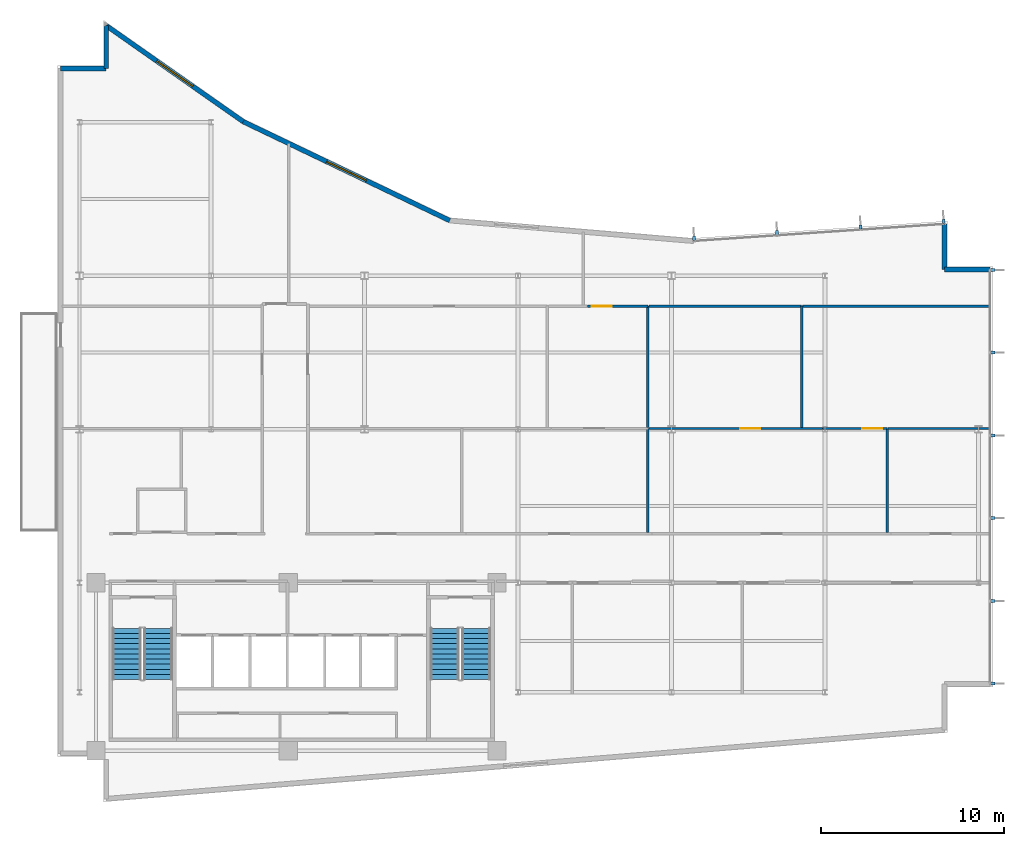
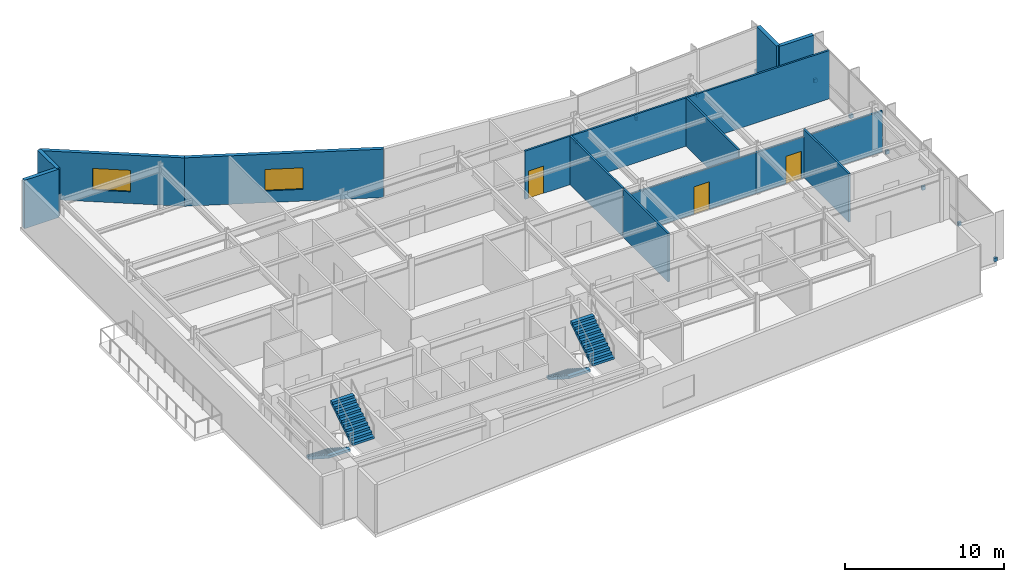
# One storey, part 12 of 15: 16 walls, 10 discrete accessories, 4 stair flights, 3 doors, 2 windows, 5 openings, 2 elements without a shape of their own.
"""IFC4 building model written with IfcOpenShell, lengths in metres."""

from ifc_helpers import new_model, si_unit, direction, frame, frame_2d, origin, origin_2d, place, context, subcontext, project, spatial, polyline, rectangle, outline, extrude, material, layer, layer_set, type_object, element, fill, aggregate, save


model = new_model("IFC4")

# Units and contexts
model_context = context("Model", 3, precision=1e-05, world=origin(), true_north=direction((0.0, 1.0)))
body_context = subcontext(model_context, "Body", "Model", "MODEL_VIEW")
ifc_project = project(units=[si_unit("LENGTHUNIT", "METRE"), si_unit("AREAUNIT", "SQUARE_METRE"), si_unit("VOLUMEUNIT", "CUBIC_METRE"), si_unit("PLANEANGLEUNIT", "RADIAN"), si_unit("MASSUNIT", "GRAM", prefix="KILO")], contexts=[model_context])

# Site, building, storey
site_placement = place(None, origin())
site = spatial("IfcSite", under=ifc_project, at=site_placement, CompositionType="ELEMENT")
building_placement = place(site_placement, origin())
building = spatial("IfcBuilding", under=site, at=building_placement, Name="Varnakote Quay Hospital", CompositionType="ELEMENT")
storey_placement = place(building_placement, frame((0.0, 0.0, 207.89990234375)))
storey = spatial("IfcBuildingStorey", under=building, at=storey_placement, Name="L51", CompositionType="ELEMENT", Elevation=207.89990234375)

# Walls
ifc_material_1 = material(Name="Precast concrete N50 (f'c 50 MPa)", Category="concrete")
ifc_layer_1 = layer(ifc_material_1, 0.260009765625)
ifc_layer_set_1 = layer_set([ifc_layer_1], Name="Precast concrete N50 (f'c 50 MPa)")
wall_type_1 = type_object("IfcWallType", Name="WL-EXT-BRICK-260", PredefinedType="STANDARD", material=ifc_layer_set_1)
wall_1_placement = place(storey_placement, frame((51.0400390625, 29.139892578125, 0.0), z_axis=(0.0, 0.0, 1.0), x_axis=(-1.0, 0.0, 0.0)))
element("IfcWall", 1, at=wall_1_placement, inside=storey, type_object=wall_type_1, Name="L51 Brick-Faced Precast Exterior Wall", PredefinedType="STANDARD", context=body_context, shape_type="SweptSolid", body=[
    extrude(rectangle(XDim=2.5, YDim=0.260009765625, at=frame_2d((1.25, 0.0))), origin(), (0.0, 0.0, 1.0), 3.710205078125),
])
wall_2_placement = place(storey_placement, frame((48.5400390625, 29.139892578125, 0.0), z_axis=(0.0, 0.0, 1.0), x_axis=(0.0, 1.0, 0.0)))
element("IfcWall", 2, at=wall_2_placement, inside=storey, type_object=wall_type_1, Name="L51 Brick-Faced Precast Exterior Wall", PredefinedType="STANDARD", context=body_context, shape_type="SweptSolid", body=[
    extrude(rectangle(XDim=2.489013671875, YDim=0.260009765625, at=frame_2d((1.24462890625, 0.0))), origin(), (0.0, 0.0, 1.0), 3.710205078125),
])

# Wall, opening, window
wall_3_placement = place(storey_placement, frame((21.461181640625, 31.822998046875, 0.0), z_axis=(0.0, 0.0, 1.0), x_axis=(-0.901858094827, 0.432032379336, 0.0)))
wall_3 = element("IfcWall", 3, at=wall_3_placement, inside=storey, type_object=wall_type_1, Name="L51 Brick-Faced Precast Exterior Wall", PredefinedType="STANDARD", context=body_context, shape_type="SweptSolid", body=[
    extrude(rectangle(XDim=12.5322265625, YDim=0.260009765625, at=frame_2d((6.26611328125, 0.0))), origin(), (0.0, 0.0, 1.0), 3.710205078125),
])
opening_1_placement = place(wall_3_placement, frame((5.066162109375, 0.0, 0.89990234375)))
opening_1 = element("IfcOpeningElement", 4, at=opening_1_placement, cuts=wall_3, Name="Opening WN-0212", PredefinedType="OPENING", context=body_context, shape_type="SweptSolid", body=[
    extrude(rectangle(XDim=2.39990234375, YDim=1.64990234375, at=frame_2d((1.199951171875, 0.824951171875))), frame((0.0, 0.139892578125, 0.0), z_axis=(0.0, -1.0, 0.0), x_axis=(1.0, 0.0, 0.0)), (0.0, 0.0, 1.0), 0.280029296875),
])
ifc_material_2 = material(Name="Double-glazed low-E solar glass", Category="glass")
window_type = type_object("IfcWindowType", Name="WIN-CLIN-2400x1650", PartitioningType="SINGLE_PANEL", PredefinedType="WINDOW", material=ifc_material_2)
window_1_placement = place(opening_1_placement, origin())
window_1 = element("IfcWindow", 5, at=window_1_placement, inside=storey, type_object=window_type, Name="L51 Solar-Control Clinical Window", OverallHeight=1.64990234375, OverallWidth=2.39990234375, PartitioningType="SINGLE_PANEL", PredefinedType="WINDOW", context=body_context, shape_type="SweptSolid", body=[
    extrude(rectangle(XDim=2.39990234375, YDim=1.64990234375, at=frame_2d((1.199951171875, 0.824951171875))), frame((0.0, 0.030029296875, 0.0), z_axis=(0.0, -1.0, 0.0), x_axis=(1.0, 0.0, 0.0)), (0.0, 0.0, 1.0), 0.06005859375),
])
fill(opening_1, window_1)

wall_4_placement = place(storey_placement, frame((10.158935546875, 37.2373046875, 0.0), z_axis=(0.0, 0.0, 1.0), x_axis=(-0.818933702389, 0.57388813465, 0.0)))
wall_4 = element("IfcWall", 6, at=wall_4_placement, inside=storey, type_object=wall_type_1, Name="L51 Brick-Faced Precast Exterior Wall", PredefinedType="STANDARD", context=body_context, shape_type="SweptSolid", body=[
    extrude(rectangle(XDim=9.156982421875, YDim=0.260009765625, at=frame_2d((4.57861328125, 0.0))), origin(), (0.0, 0.0, 1.0), 3.710205078125),
])
opening_2_placement = place(wall_4_placement, frame((3.37841796875, 0.0, 0.89990234375)))
opening_2 = element("IfcOpeningElement", 7, at=opening_2_placement, cuts=wall_4, Name="Opening WN-0213", PredefinedType="OPENING", context=body_context, shape_type="SweptSolid", body=[
    extrude(rectangle(XDim=2.39990234375, YDim=1.64990234375, at=frame_2d((1.199951171875, 0.824951171875))), frame((0.0, 0.139892578125, 0.0), z_axis=(0.0, -1.0, 0.0), x_axis=(1.0, 0.0, 0.0)), (0.0, 0.0, 1.0), 0.280029296875),
])
window_2_placement = place(opening_2_placement, origin())
window_2 = element("IfcWindow", 8, at=window_2_placement, inside=storey, type_object=window_type, Name="L51 Solar-Control Clinical Window", OverallHeight=1.64990234375, OverallWidth=2.39990234375, PartitioningType="SINGLE_PANEL", PredefinedType="WINDOW", context=body_context, shape_type="SweptSolid", body=[
    extrude(rectangle(XDim=2.39990234375, YDim=1.64990234375, at=frame_2d((1.199951171875, 0.824951171875))), frame((0.0, 0.030029296875, 0.0), z_axis=(0.0, -1.0, 0.0), x_axis=(1.0, 0.0, 0.0)), (0.0, 0.0, 1.0), 0.06005859375),
])
fill(opening_2, window_2)

# Walls
wall_5_placement = place(storey_placement, frame((2.659912109375, 42.492431640625, 0.0), z_axis=(0.0, 0.0, 1.0), x_axis=(0.0, -1.0, 0.0)))
element("IfcWall", 9, at=wall_5_placement, inside=storey, type_object=wall_type_1, Name="L51 Brick-Faced Precast Exterior Wall", PredefinedType="STANDARD", context=body_context, shape_type="SweptSolid", body=[
    extrude(rectangle(XDim=2.3525390625, YDim=0.260009765625, at=frame_2d((1.17626953125, 0.0))), origin(), (0.0, 0.0, 1.0), 3.710205078125),
])
wall_6_placement = place(storey_placement, frame((2.659912109375, 40.139892578125, 0.0), z_axis=(0.0, 0.0, 1.0), x_axis=(-1.0, 0.0, 0.0)))
element("IfcWall", 10, at=wall_6_placement, inside=storey, type_object=wall_type_1, Name="L51 Brick-Faced Precast Exterior Wall", PredefinedType="STANDARD", context=body_context, shape_type="SweptSolid", body=[
    extrude(rectangle(XDim=2.5, YDim=0.260009765625, at=frame_2d((1.25, 0.0))), origin(), (0.0, 0.0, 1.0), 3.710205078125),
])
ifc_material_3 = material(Name="Smoke-proof clinical partition", Category="gypsum")
ifc_layer_2 = layer(ifc_material_3, 0.135009765625)
ifc_layer_set_2 = layer_set([ifc_layer_2], Name="Smoke-proof clinical partition")
wall_type_2 = type_object("IfcWallType", Name="WL-SMOKE-135", PredefinedType="PARTITIONING", material=ifc_layer_set_2)
for number, where, z_axis, x_axis, name in (
    (11, (32.31005859375, 14.760009765625, 0.0), (0.0, 0.0, 1.0), (0.0, 1.0, 0.0), "L51 Clinical Interior Partition"),
    (12, (45.39990234375, 14.760009765625, 0.0), (0.0, 0.0, 1.0), (0.0, 1.0, 0.0), "L51 Clinical Interior Partition"),
):
    element("IfcWall", number, at=place(storey_placement, frame(where, z_axis=z_axis, x_axis=x_axis)), inside=storey, type_object=wall_type_2, Name=name, PredefinedType="PARTITIONING", context=body_context, shape_type="SweptSolid", body=[
        extrude(rectangle(XDim=5.679931640625, YDim=0.135009765625, at=frame_2d((2.83984375, 0.0))), origin(), (0.0, 0.0, 1.0), 3.710205078125),
    ])

# Wall, opening, door
wall_7_placement = place(storey_placement, frame((41.8720703125, 20.43994140625, 0.0), z_axis=(0.0, 0.0, 1.0), x_axis=(-1.0, 0.0, 0.0)))
wall_7 = element("IfcWall", 13, at=wall_7_placement, inside=storey, type_object=wall_type_2, Name="L51 Clinical Interior Partition", PredefinedType="PARTITIONING", context=body_context, shape_type="SweptSolid", body=[
    extrude(rectangle(XDim=9.504638671875, YDim=0.135009765625, at=frame_2d((4.75244140625, 0.0))), origin(), (0.0, 0.0, 1.0), 3.152099609375),
])
opening_3_placement = place(wall_7_placement, frame((3.40185546875, 0.0, 0.0)))
opening_3 = element("IfcOpeningElement", 14, at=opening_3_placement, cuts=wall_7, Name="Opening D-L51-MD09", PredefinedType="OPENING", context=body_context, shape_type="SweptSolid", body=[
    extrude(rectangle(XDim=1.10009765625, YDim=2.10009765625, at=frame_2d((0.550048828125, 1.050048828125))), frame((0.0, 0.077392578125, 0.0), z_axis=(0.0, -1.0, 0.0), x_axis=(1.0, 0.0, 0.0)), (0.0, 0.0, 1.0), 0.155029296875),
])
ifc_material_4 = material(Name="Acoustic timber clinical consult door", Category="wood")
door_type = type_object("IfcDoorType", Name="DR-CLIN-FD30S-1100x2100", OperationType="NOTDEFINED", PredefinedType="DOOR", material=ifc_material_4)
door_1_placement = place(opening_3_placement, origin())
door_1 = element("IfcDoor", 15, at=door_1_placement, inside=storey, type_object=door_type, Name="L51 Day Procedure Treatment Suite Door", OperationType="SINGLE_SWING_LEFT", OverallHeight=2.10009765625, OverallWidth=1.10009765625, PredefinedType="DOOR", context=body_context, shape_type="SweptSolid", body=[
    extrude(rectangle(XDim=1.10009765625, YDim=2.10009765625, at=frame_2d((0.550048828125, 1.050048828125))), frame((0.0, 0.02490234375, 0.0), z_axis=(0.0, -1.0, 0.0), x_axis=(1.0, 0.0, 0.0)), (0.0, 0.0, 1.0), 0.050048828125),
])
fill(opening_3, door_1)

wall_8_placement = place(storey_placement, frame((45.39990234375, 20.43994140625, 0.0), z_axis=(0.0, 0.0, 1.0), x_axis=(-1.0, 0.0, 0.0)))
wall_8 = element("IfcWall", 16, at=wall_8_placement, inside=storey, type_object=wall_type_2, Name="L51 Clinical Interior Partition", PredefinedType="PARTITIONING", context=body_context, shape_type="SweptSolid", body=[
    extrude(rectangle(XDim=3.52587890625, YDim=0.135009765625, at=frame_2d((1.762939453125, 0.0))), origin(), (0.0, 0.0, 1.0), 3.152099609375),
])
opening_4_placement = place(wall_8_placement, frame((0.25048828125, 0.0, 0.0)))
opening_4 = element("IfcOpeningElement", 17, at=opening_4_placement, cuts=wall_8, Name="Opening D-L51-MD10", PredefinedType="OPENING", context=body_context, shape_type="SweptSolid", body=[
    extrude(rectangle(XDim=1.10009765625, YDim=2.10009765625, at=frame_2d((0.550048828125, 1.050048828125))), frame((0.0, 0.077392578125, 0.0), z_axis=(0.0, -1.0, 0.0), x_axis=(1.0, 0.0, 0.0)), (0.0, 0.0, 1.0), 0.155029296875),
])
door_2_placement = place(opening_4_placement, origin())
door_2 = element("IfcDoor", 18, at=door_2_placement, inside=storey, type_object=door_type, Name="L51 Oncology Infusion Treatment Suite Door", OperationType="SINGLE_SWING_RIGHT", OverallHeight=2.10009765625, OverallWidth=1.10009765625, PredefinedType="DOOR", context=body_context, shape_type="SweptSolid", body=[
    extrude(rectangle(XDim=1.10009765625, YDim=2.10009765625, at=frame_2d((0.550048828125, 1.050048828125))), frame((0.0, 0.02490234375, 0.0), z_axis=(0.0, -1.0, 0.0), x_axis=(1.0, 0.0, 0.0)), (0.0, 0.0, 1.0), 0.050048828125),
])
fill(opening_4, door_2)

# Walls
wall_9_placement = place(storey_placement, frame((51.0400390625, 20.43994140625, 0.0), z_axis=(0.0, 0.0, 1.0), x_axis=(-1.0, 0.0, 0.0)))
element("IfcWall", 19, at=wall_9_placement, inside=storey, type_object=wall_type_2, Name="L51 Clinical Interior Partition", PredefinedType="PARTITIONING", context=body_context, shape_type="SweptSolid", body=[
    extrude(rectangle(XDim=5.58251953125, YDim=0.135009765625, at=frame_2d((2.791259765625, 0.0))), origin(), (0.0, 0.0, 1.0), 3.152099609375),
])
wall_10_placement = place(storey_placement, frame((32.31005859375, 20.49755859375, 0.0), z_axis=(0.0, 0.0, 1.0), x_axis=(0.0, 1.0, 0.0)))
element("IfcWall", 20, at=wall_10_placement, inside=storey, type_object=wall_type_2, Name="L51 Clinical Interior Partition", PredefinedType="PARTITIONING", context=body_context, shape_type="SweptSolid", body=[
    extrude(rectangle(XDim=6.642333984375, YDim=0.135009765625, at=frame_2d((3.3212890625, 0.0))), origin(), (0.0, 0.0, 1.0), 3.710205078125),
])

# Wall, opening, door
wall_11_placement = place(storey_placement, frame((32.31005859375, 27.139892578125, 0.0), z_axis=(0.0, 0.0, 1.0), x_axis=(-1.0, 0.0, 0.0)))
wall_11 = element("IfcWall", 21, at=wall_11_placement, inside=storey, type_object=wall_type_2, Name="L51 Clinical Interior Partition", PredefinedType="PARTITIONING", context=body_context, shape_type="SweptSolid", body=[
    extrude(rectangle(XDim=3.320556640625, YDim=0.135009765625, at=frame_2d((1.66015625, 0.0))), origin(), (0.0, 0.0, 1.0), 3.710205078125),
])
opening_5_placement = place(wall_11_placement, frame((1.97509765625, 0.0, 0.0)))
opening_5 = element("IfcOpeningElement", 22, at=opening_5_placement, cuts=wall_11, Name="Opening D-L51-MD13", PredefinedType="OPENING", context=body_context, shape_type="SweptSolid", body=[
    extrude(rectangle(XDim=1.10009765625, YDim=2.10009765625, at=frame_2d((0.550048828125, 1.050048828125))), frame((0.0, 0.077392578125, 0.0), z_axis=(0.0, -1.0, 0.0), x_axis=(1.0, 0.0, 0.0)), (0.0, 0.0, 1.0), 0.155029296875),
])
door_3_placement = place(opening_5_placement, origin())
door_3 = element("IfcDoor", 23, at=door_3_placement, inside=storey, type_object=door_type, Name="L51 Day Procedure Treatment Suite Door", OperationType="SINGLE_SWING_RIGHT", OverallHeight=2.10009765625, OverallWidth=1.10009765625, PredefinedType="DOOR", context=body_context, shape_type="SweptSolid", body=[
    extrude(rectangle(XDim=1.10009765625, YDim=2.10009765625, at=frame_2d((0.550048828125, 1.050048828125))), frame((0.0, 0.02490234375, 0.0), z_axis=(0.0, -1.0, 0.0), x_axis=(1.0, 0.0, 0.0)), (0.0, 0.0, 1.0), 0.050048828125),
])
fill(opening_5, door_3)

# Walls
wall_12_placement = place(storey_placement, frame((40.719970703125, 20.49755859375, 0.0), z_axis=(0.0, 0.0, 1.0), x_axis=(0.0, 1.0, 0.0)))
element("IfcWall", 24, at=wall_12_placement, inside=storey, type_object=wall_type_2, Name="L51 Clinical Interior Partition", PredefinedType="PARTITIONING", context=body_context, shape_type="SweptSolid", body=[
    extrude(rectangle(XDim=6.642333984375, YDim=0.135009765625, at=frame_2d((3.3212890625, 0.0))), origin(), (0.0, 0.0, 1.0), 3.710205078125),
])
wall_13_placement = place(storey_placement, frame((40.719970703125, 27.139892578125, 0.0), z_axis=(0.0, 0.0, 1.0), x_axis=(-1.0, 0.0, 0.0)))
element("IfcWall", 25, at=wall_13_placement, inside=storey, type_object=wall_type_2, Name="L51 Clinical Interior Partition", PredefinedType="PARTITIONING", context=body_context, shape_type="SweptSolid", body=[
    extrude(rectangle(XDim=8.3525390625, YDim=0.135009765625, at=frame_2d((4.17626953125, 0.0))), origin(), (0.0, 0.0, 1.0), 3.710205078125),
])
wall_14_placement = place(storey_placement, frame((51.0400390625, 27.139892578125, 0.0), z_axis=(0.0, 0.0, 1.0), x_axis=(-1.0, 0.0, 0.0)))
element("IfcWall", 26, at=wall_14_placement, inside=storey, type_object=wall_type_2, Name="L51 Clinical Interior Partition", PredefinedType="PARTITIONING", context=body_context, shape_type="SweptSolid", body=[
    extrude(rectangle(XDim=10.262451171875, YDim=0.135009765625, at=frame_2d((5.13134765625, 0.0))), origin(), (0.0, 0.0, 1.0), 3.710205078125),
])

# Stair, stair flights
ifc_material_5 = material(Name="Concrete N40 (f'c 40 MPa)", Category="concrete")
stair_type = type_object("IfcStairType", Name="STR-CORE-1580", PredefinedType="HALF_TURN_STAIR", material=ifc_material_5)
stair_1_placement = place(storey_placement, origin())
stair_1 = element("IfcStair", 27, at=stair_1_placement, inside=storey, type_object=stair_type, Name="L51 Fire-Isolated Exit Stair ST-01", PredefinedType="HALF_TURN_STAIR")
ifc_material_6 = material(Name="Concrete N40 (f'c 40 MPa)", Category="concrete")
ifc_layer_3 = layer(ifc_material_6, 0.159912109375)
ifc_layer_set_3 = layer_set([ifc_layer_3], Name="Concrete N40 (f'c 40 MPa)")
stair_flight_type = type_object("IfcStairFlightType", Name="FLT-CORE-1580", PredefinedType="STRAIGHT", material=ifc_layer_set_3)
stair_flight_1_placement = place(storey_placement, frame((3.7900390625, 9.5, 0.0), z_axis=(0.0, 0.0, 1.0), x_axis=(0.0, -1.0, 0.0)))
stair_flight_1 = element("IfcStairFlight", 28, at=stair_flight_1_placement, type_object=stair_flight_type, Name="ST-01 flight 1", NumberOfRisers=11, NumberOfTreads=10, PredefinedType="STRAIGHT", RiserHeight=0.179545455, TreadLength=0.28, context=body_context, shape_type="SweptSolid", body=[
    extrude(outline(polyline([(0.0, 0.0), (0.0, 0.179443359375), (0.280029296875, 0.179443359375), (0.280029296875, 0.359130859375), (0.56005859375, 0.359130859375), (0.56005859375, 0.53857421875), (0.840087890625, 0.53857421875), (0.840087890625, 0.71826171875), (1.1201171875, 0.71826171875), (1.1201171875, 0.897705078125), (1.39990234375, 0.897705078125), (1.39990234375, 1.077392578125), (1.679931640625, 1.077392578125), (1.679931640625, 1.2568359375), (1.9599609375, 1.2568359375), (1.9599609375, 1.436279296875), (2.239990234375, 1.436279296875), (2.239990234375, 1.615966796875), (2.52001953125, 1.615966796875), (2.52001953125, 1.79541015625), (2.800048828125, 1.79541015625), (2.800048828125, 1.97509765625), (2.800048828125, 1.60546875), (0.296142578125, 0.0), (0.0, 0.0)])), frame((0.0, 0.7900390625, 0.0), z_axis=(0.0, -1.0, 0.0), x_axis=(1.0, 0.0, 0.0)), (0.0, 0.0, 1.0), 1.580078125),
])
stair_flight_2_placement = place(storey_placement, frame((5.510009765625, 6.699951171875, 1.97509765625), z_axis=(0.0, 0.0, 1.0), x_axis=(0.0, 1.0, 0.0)))
stair_flight_2 = element("IfcStairFlight", 29, at=stair_flight_2_placement, type_object=stair_flight_type, Name="ST-01 flight 2", NumberOfRisers=11, NumberOfTreads=10, PredefinedType="STRAIGHT", RiserHeight=0.179545455, TreadLength=0.28, context=body_context, shape_type="SweptSolid", body=[
    extrude(outline(polyline([(0.0, 0.0), (0.0, 0.179443359375), (0.280029296875, 0.179443359375), (0.280029296875, 0.359130859375), (0.56005859375, 0.359130859375), (0.56005859375, 0.53857421875), (0.840087890625, 0.53857421875), (0.840087890625, 0.71826171875), (1.1201171875, 0.71826171875), (1.1201171875, 0.897705078125), (1.39990234375, 0.897705078125), (1.39990234375, 1.077392578125), (1.679931640625, 1.077392578125), (1.679931640625, 1.2568359375), (1.9599609375, 1.2568359375), (1.9599609375, 1.436279296875), (2.239990234375, 1.436279296875), (2.239990234375, 1.615966796875), (2.52001953125, 1.615966796875), (2.52001953125, 1.79541015625), (2.800048828125, 1.79541015625), (2.800048828125, 1.97509765625), (2.800048828125, 1.60546875), (0.296142578125, 0.0), (0.0, 0.0)])), frame((0.0, 0.7900390625, 0.0), z_axis=(0.0, -1.0, 0.0), x_axis=(1.0, 0.0, 0.0)), (0.0, 0.0, 1.0), 1.580078125),
])
aggregate(stair_1, [stair_flight_1, stair_flight_2])

stair_2_placement = place(storey_placement, origin())
stair_2 = element("IfcStair", 30, at=stair_2_placement, inside=storey, type_object=stair_type, Name="L51 Fire-Isolated Exit Stair ST-02", PredefinedType="HALF_TURN_STAIR")
stair_flight_3_placement = place(storey_placement, frame((21.18994140625, 9.5, 0.0), z_axis=(0.0, 0.0, 1.0), x_axis=(0.0, -1.0, 0.0)))
stair_flight_3 = element("IfcStairFlight", 31, at=stair_flight_3_placement, type_object=stair_flight_type, Name="ST-02 flight 1", NumberOfRisers=11, NumberOfTreads=10, PredefinedType="STRAIGHT", RiserHeight=0.179545455, TreadLength=0.28, context=body_context, shape_type="SweptSolid", body=[
    extrude(outline(polyline([(0.0, 0.0), (0.0, 0.179443359375), (0.280029296875, 0.179443359375), (0.280029296875, 0.359130859375), (0.56005859375, 0.359130859375), (0.56005859375, 0.53857421875), (0.840087890625, 0.53857421875), (0.840087890625, 0.71826171875), (1.1201171875, 0.71826171875), (1.1201171875, 0.897705078125), (1.39990234375, 0.897705078125), (1.39990234375, 1.077392578125), (1.679931640625, 1.077392578125), (1.679931640625, 1.2568359375), (1.9599609375, 1.2568359375), (1.9599609375, 1.436279296875), (2.239990234375, 1.436279296875), (2.239990234375, 1.615966796875), (2.52001953125, 1.615966796875), (2.52001953125, 1.79541015625), (2.800048828125, 1.79541015625), (2.800048828125, 1.97509765625), (2.800048828125, 1.60546875), (0.296142578125, 0.0), (0.0, 0.0)])), frame((0.0, 0.7900390625, 0.0), z_axis=(0.0, -1.0, 0.0), x_axis=(1.0, 0.0, 0.0)), (0.0, 0.0, 1.0), 1.580078125),
])
stair_flight_4_placement = place(storey_placement, frame((22.909912109375, 6.699951171875, 1.97509765625), z_axis=(0.0, 0.0, 1.0), x_axis=(0.0, 1.0, 0.0)))
stair_flight_4 = element("IfcStairFlight", 32, at=stair_flight_4_placement, type_object=stair_flight_type, Name="ST-02 flight 2", NumberOfRisers=11, NumberOfTreads=10, PredefinedType="STRAIGHT", RiserHeight=0.179545455, TreadLength=0.28, context=body_context, shape_type="SweptSolid", body=[
    extrude(outline(polyline([(0.0, 0.0), (0.0, 0.179443359375), (0.280029296875, 0.179443359375), (0.280029296875, 0.359130859375), (0.56005859375, 0.359130859375), (0.56005859375, 0.53857421875), (0.840087890625, 0.53857421875), (0.840087890625, 0.71826171875), (1.1201171875, 0.71826171875), (1.1201171875, 0.897705078125), (1.39990234375, 0.897705078125), (1.39990234375, 1.077392578125), (1.679931640625, 1.077392578125), (1.679931640625, 1.2568359375), (1.9599609375, 1.2568359375), (1.9599609375, 1.436279296875), (2.239990234375, 1.436279296875), (2.239990234375, 1.615966796875), (2.52001953125, 1.615966796875), (2.52001953125, 1.79541015625), (2.800048828125, 1.79541015625), (2.800048828125, 1.97509765625), (2.800048828125, 1.60546875), (0.296142578125, 0.0), (0.0, 0.0)])), frame((0.0, 0.7900390625, 0.0), z_axis=(0.0, -1.0, 0.0), x_axis=(1.0, 0.0, 0.0)), (0.0, 0.0, 1.0), 1.580078125),
])
aggregate(stair_2, [stair_flight_3, stair_flight_4])

# Discrete accessories
ifc_material_7 = material(Name="Anodised aluminium 6063-T6 Bronze", Category="aluminium")
discrete_accessory_type = type_object("IfcDiscreteAccessoryType", Name="ACC-FIN-BRACKET-180", PredefinedType="BRACKET", material=ifc_material_7)
for number, where, z_axis, x_axis, name in (
    (33, (51.18994140625, 6.492431640625, 0.0), (0.0, 0.0, 1.0), (0.0, 1.0, 0.0), "L51 Curtain Wall Fin Fixing Bracket"),
    (34, (51.18994140625, 10.99609375, 0.0), (0.0, 0.0, 1.0), (0.0, 1.0, 0.0), "L51 Curtain Wall Fin Fixing Bracket"),
    (35, (51.18994140625, 15.531982421875, 0.0), (0.0, 0.0, 1.0), (0.0, 1.0, 0.0), "L51 Curtain Wall Fin Fixing Bracket"),
    (36, (51.18994140625, 20.068115234375, 0.0), (0.0, 0.0, 1.0), (0.0, 1.0, 0.0), "L51 Curtain Wall Fin Fixing Bracket"),
    (37, (51.18994140625, 24.60400390625, 0.0), (0.0, 0.0, 1.0), (0.0, 1.0, 0.0), "L51 Curtain Wall Fin Fixing Bracket"),
    (38, (51.18994140625, 29.107421875, 0.0), (0.0, 0.0, 1.0), (0.0, 1.0, 0.0), "L51 Curtain Wall Fin Fixing Bracket"),
    (39, (48.497314453125, 31.776123046875, 0.0), (0.0, 0.0, 1.0), (-0.997696134548, -0.067841160875, 0.0), "L51 Curtain Wall Fin Fixing Bracket"),
    (40, (43.95458984375, 31.46728515625, 0.0), (0.0, 0.0, 1.0), (-0.997696134548, -0.067841160875, 0.0), "L51 Curtain Wall Fin Fixing Bracket"),
    (41, (39.379638671875, 31.15625, 0.0), (0.0, 0.0, 1.0), (-0.997696134548, -0.067841160875, 0.0), "L51 Curtain Wall Fin Fixing Bracket"),
    (42, (34.8369140625, 30.847412109375, 0.0), (0.0, 0.0, 1.0), (-0.997696134548, -0.067841160875, 0.0), "L51 Curtain Wall Fin Fixing Bracket"),
):
    element("IfcDiscreteAccessory", number, at=place(storey_placement, frame(where, z_axis=z_axis, x_axis=x_axis)), inside=storey, type_object=discrete_accessory_type, Name=name, PredefinedType="BRACKET", context=body_context, shape_type="SweptSolid", body=[
        extrude(rectangle(XDim=0.159912109375, YDim=0.239990234375, at=origin_2d()), origin(), (0.0, 0.0, 1.0), 0.280029296875),
    ])

save(model, "model.ifc")
